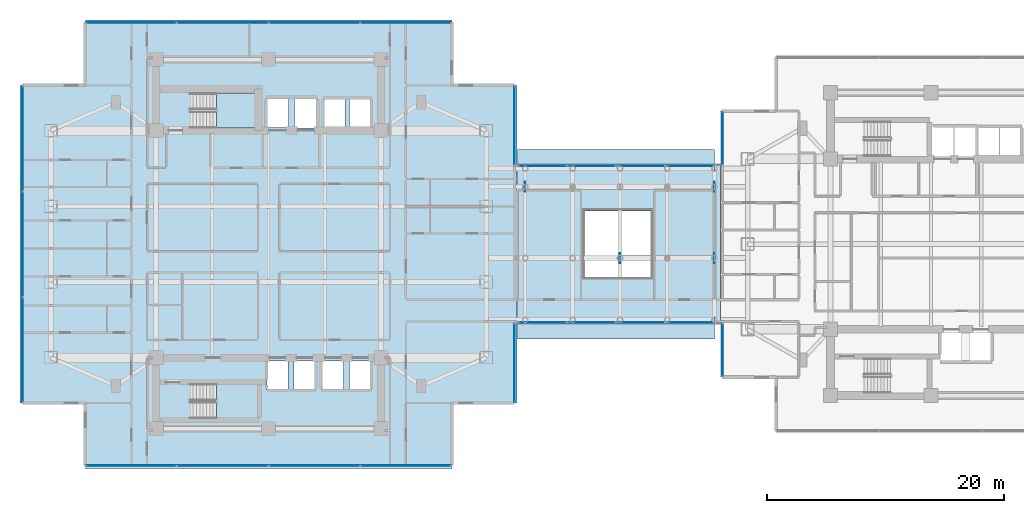
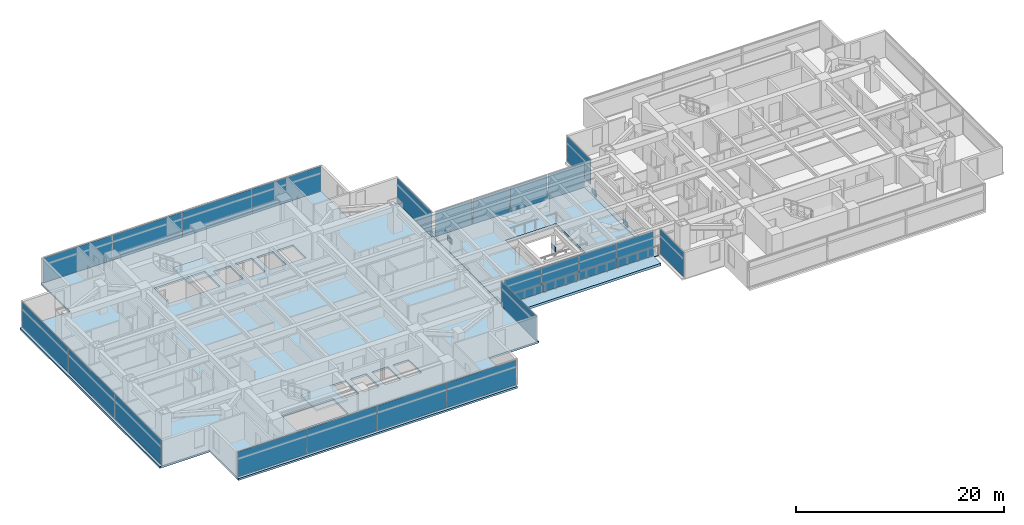
# One storey, part 12 of 27: 27 plates, 5 slabs, 11 elements without a shape of their own.
"""IFC4 building model written with IfcOpenShell, lengths in metres."""

from ifc_helpers import new_model, si_unit, direction, frame, origin, origin_2d, place, context, subcontext, project, spatial, polyline, rectangle, outline, extrude, material, layer, layer_set, type_object, element, aggregate, save


model = new_model("IFC4")

# Units and contexts
model_context = context("Model", 3, precision=1e-05, world=origin(), true_north=direction((0.0, 1.0)))
body_context = subcontext(model_context, "Body", "Model", "MODEL_VIEW")
ifc_project = project(units=[si_unit("LENGTHUNIT", "METRE"), si_unit("AREAUNIT", "SQUARE_METRE"), si_unit("VOLUMEUNIT", "CUBIC_METRE"), si_unit("PLANEANGLEUNIT", "RADIAN"), si_unit("MASSUNIT", "GRAM", prefix="KILO")], contexts=[model_context])

# Site, building, storey
site_placement = place(None, origin())
site = spatial("IfcSite", under=ifc_project, at=site_placement, CompositionType="ELEMENT")
building_placement = place(site_placement, origin())
building = spatial("IfcBuilding", under=site, at=building_placement, Name="Mirazonda Arch Towers", CompositionType="ELEMENT")
storey_placement = place(building_placement, frame((0.0, 0.0, 95.0)))
storey = spatial("IfcBuildingStorey", under=building, at=storey_placement, Name="L26", CompositionType="ELEMENT", Elevation=95.0)

# Curtain wall, plates
ifc_material_1 = material(Name="Anodised Aluminium and Low-E Glass", Category="aluminium")
curtain_wall_type_1 = type_object("IfcCurtainWallType", Name="CW-BRG-LINK", PredefinedType="NOTDEFINED", material=ifc_material_1)
curtain_wall_1_placement = place(storey_placement, origin())
curtain_wall_1 = element("IfcCurtainWall", 1, at=curtain_wall_1_placement, inside=storey, type_object=curtain_wall_type_1, Name="L26 Skybridge South Glazing CW-L26-BRG-S", PredefinedType="NOTDEFINED")
ifc_material_2 = material(Name="Insulated Low-E Solar Glass", Category="glass")
ifc_layer_1 = layer(ifc_material_2, 0.0439453125, Name="PAN-CW-BRG-LINK")
ifc_layer_set_1 = layer_set([ifc_layer_1], Name="Insulated Low-E Solar Glass")
plate_type_1 = type_object("IfcPlateType", Name="PAN-CW-BRG-LINK", PredefinedType="CURTAIN_PANEL", material=ifc_layer_set_1)
plate_1_placement = place(storey_placement, frame((56.107666015625, 21.3798828125, 0.0849609375), z_axis=(0.0, 0.0, 1.0), x_axis=(-1.0, 0.0, 0.0)))
plate_1 = element("IfcPlate", 2, at=plate_1_placement, type_object=plate_type_1, Name="CW-103 panel 1.1", PredefinedType="CURTAIN_PANEL", context=body_context, shape_type="SweptSolid", body=[
    extrude(rectangle(XDim=4.037841796875, YDim=0.0439453125, at=origin_2d()), origin(), (0.0, 0.0, 1.0), 2.85009765625),
])
plate_2_placement = place(storey_placement, frame((51.96337890625, 21.3798828125, 0.0849609375), z_axis=(0.0, 0.0, 1.0), x_axis=(-1.0, 0.0, 0.0)))
plate_2 = element("IfcPlate", 3, at=plate_2_placement, type_object=plate_type_1, Name="CW-103 panel 2.1", PredefinedType="CURTAIN_PANEL", context=body_context, shape_type="SweptSolid", body=[
    extrude(rectangle(XDim=4.080322265625, YDim=0.0439453125, at=origin_2d()), origin(), (0.0, 0.0, 1.0), 2.85009765625),
])
plate_3_placement = place(storey_placement, frame((47.798095703125, 21.3798828125, 0.0849609375), z_axis=(0.0, 0.0, 1.0), x_axis=(-1.0, 0.0, 0.0)))
plate_3 = element("IfcPlate", 4, at=plate_3_placement, type_object=plate_type_1, Name="CW-103 panel 3.1", PredefinedType="CURTAIN_PANEL", context=body_context, shape_type="SweptSolid", body=[
    extrude(rectangle(XDim=4.080322265625, YDim=0.0439453125, at=origin_2d()), origin(), (0.0, 0.0, 1.0), 2.85009765625),
])
plate_4_placement = place(storey_placement, frame((43.654052734375, 21.3798828125, 0.0849609375), z_axis=(0.0, 0.0, 1.0), x_axis=(-1.0, 0.0, 0.0)))
plate_4 = element("IfcPlate", 5, at=plate_4_placement, type_object=plate_type_1, Name="CW-103 panel 4.1", PredefinedType="CURTAIN_PANEL", context=body_context, shape_type="SweptSolid", body=[
    extrude(rectangle(XDim=4.037841796875, YDim=0.0439453125, at=origin_2d()), origin(), (0.0, 0.0, 1.0), 2.85009765625),
])
aggregate(curtain_wall_1, [plate_1, plate_2, plate_3, plate_4])

curtain_wall_2_placement = place(storey_placement, origin())
curtain_wall_2 = element("IfcCurtainWall", 6, at=curtain_wall_2_placement, inside=storey, type_object=curtain_wall_type_1, Name="L26 Skybridge North Glazing CW-L26-BRG-N", PredefinedType="NOTDEFINED")
plate_5_placement = place(storey_placement, frame((43.654052734375, 34.6201171875, 0.0849609375), z_axis=(0.0, 0.0, 1.0), x_axis=(1.0, 0.0, 0.0)))
plate_5 = element("IfcPlate", 7, at=plate_5_placement, type_object=plate_type_1, Name="CW-103 panel 1.1", PredefinedType="CURTAIN_PANEL", context=body_context, shape_type="SweptSolid", body=[
    extrude(rectangle(XDim=4.037841796875, YDim=0.0439453125, at=origin_2d()), origin(), (0.0, 0.0, 1.0), 2.85009765625),
])
plate_6_placement = place(storey_placement, frame((47.798095703125, 34.6201171875, 0.0849609375), z_axis=(0.0, 0.0, 1.0), x_axis=(1.0, 0.0, 0.0)))
plate_6 = element("IfcPlate", 8, at=plate_6_placement, type_object=plate_type_1, Name="CW-103 panel 2.1", PredefinedType="CURTAIN_PANEL", context=body_context, shape_type="SweptSolid", body=[
    extrude(rectangle(XDim=4.080322265625, YDim=0.0439453125, at=origin_2d()), origin(), (0.0, 0.0, 1.0), 2.85009765625),
])
plate_7_placement = place(storey_placement, frame((51.96337890625, 34.6201171875, 0.0849609375), z_axis=(0.0, 0.0, 1.0), x_axis=(1.0, 0.0, 0.0)))
plate_7 = element("IfcPlate", 9, at=plate_7_placement, type_object=plate_type_1, Name="CW-103 panel 3.1", PredefinedType="CURTAIN_PANEL", context=body_context, shape_type="SweptSolid", body=[
    extrude(rectangle(XDim=4.080322265625, YDim=0.0439453125, at=origin_2d()), origin(), (0.0, 0.0, 1.0), 2.85009765625),
])
plate_8_placement = place(storey_placement, frame((56.107666015625, 34.6201171875, 0.0849609375), z_axis=(0.0, 0.0, 1.0), x_axis=(1.0, 0.0, 0.0)))
plate_8 = element("IfcPlate", 10, at=plate_8_placement, type_object=plate_type_1, Name="CW-103 panel 4.1", PredefinedType="CURTAIN_PANEL", context=body_context, shape_type="SweptSolid", body=[
    extrude(rectangle(XDim=4.037841796875, YDim=0.0439453125, at=origin_2d()), origin(), (0.0, 0.0, 1.0), 2.85009765625),
])
aggregate(curtain_wall_2, [plate_5, plate_6, plate_7, plate_8])

curtain_wall_type_2 = type_object("IfcCurtainWallType", Name="CW-HTL-UNIT", PredefinedType="NOTDEFINED", material=ifc_material_1)
curtain_wall_3_placement = place(storey_placement, origin())
curtain_wall_3 = element("IfcCurtainWall", 11, at=curtain_wall_3_placement, inside=storey, type_object=curtain_wall_type_2, Name="L26 T1 S Facade CW-L26-T1-S", PredefinedType="NOTDEFINED")
ifc_layer_2 = layer(ifc_material_2, 0.035888671875, Name="PAN-CW-HTL-UNIT")
ifc_layer_set_2 = layer_set([ifc_layer_2], Name="Insulated Low-E Solar Glass")
plate_type_2 = type_object("IfcPlateType", Name="PAN-CW-HTL-UNIT", PredefinedType="CURTAIN_PANEL", material=ifc_layer_set_2)
plate_9_placement = place(storey_placement, frame((32.094970703125, 9.27392578125, 0.0751953125), z_axis=(0.0, 0.0, 1.0), x_axis=(-1.0, 0.0, 0.0)))
plate_9 = element("IfcPlate", 12, at=plate_9_placement, type_object=plate_type_2, Name="CW-112 panel 1.1", PredefinedType="CURTAIN_PANEL", context=body_context, shape_type="SweptSolid", body=[
    extrude(rectangle(XDim=7.6298828125, YDim=0.035888671875, at=origin_2d()), origin(), (0.0, 0.0, 1.0), 2.909912109375),
])
plate_10_placement = place(storey_placement, frame((24.371337890625, 9.27392578125, 0.0751953125), z_axis=(0.0, 0.0, 1.0), x_axis=(-1.0, 0.0, 0.0)))
plate_10 = element("IfcPlate", 13, at=plate_10_placement, type_object=plate_type_2, Name="CW-112 panel 2.1", PredefinedType="CURTAIN_PANEL", context=body_context, shape_type="SweptSolid", body=[
    extrude(rectangle(XDim=7.66748046875, YDim=0.035888671875, at=origin_2d()), origin(), (0.0, 0.0, 1.0), 2.909912109375),
])
plate_11_placement = place(storey_placement, frame((16.628662109375, 9.27392578125, 0.0751953125), z_axis=(0.0, 0.0, 1.0), x_axis=(-1.0, 0.0, 0.0)))
plate_11 = element("IfcPlate", 14, at=plate_11_placement, type_object=plate_type_2, Name="CW-112 panel 3.1", PredefinedType="CURTAIN_PANEL", context=body_context, shape_type="SweptSolid", body=[
    extrude(rectangle(XDim=7.66748046875, YDim=0.035888671875, at=origin_2d()), origin(), (0.0, 0.0, 1.0), 2.909912109375),
])
plate_12_placement = place(storey_placement, frame((8.905029296875, 9.27392578125, 0.0751953125), z_axis=(0.0, 0.0, 1.0), x_axis=(-1.0, 0.0, 0.0)))
plate_12 = element("IfcPlate", 15, at=plate_12_placement, type_object=plate_type_2, Name="CW-112 panel 4.1", PredefinedType="CURTAIN_PANEL", context=body_context, shape_type="SweptSolid", body=[
    extrude(rectangle(XDim=7.6298828125, YDim=0.035888671875, at=origin_2d()), origin(), (0.0, 0.0, 1.0), 2.909912109375),
])
aggregate(curtain_wall_3, [plate_9, plate_10, plate_11, plate_12])

# Curtain wall, plate
curtain_wall_4_placement = place(storey_placement, origin())
curtain_wall_4 = element("IfcCurtainWall", 16, at=curtain_wall_4_placement, inside=storey, type_object=curtain_wall_type_2, Name="L26 Curtain Wall CW-L26-T1-E1", PredefinedType="NOTDEFINED")
plate_13_placement = place(storey_placement, frame((41.2900390625, 17.969482421875, 0.0751953125), z_axis=(0.0, 0.0, 1.0), x_axis=(0.0, 1.0, 0.0)))
plate_13 = element("IfcPlate", 17, at=plate_13_placement, type_object=plate_type_2, Name="CW-112 panel 1.1", PredefinedType="CURTAIN_PANEL", context=body_context, shape_type="SweptSolid", body=[
    extrude(rectangle(XDim=6.631103515625, YDim=0.035888671875, at=origin_2d()), origin(), (0.0, 0.0, 1.0), 2.909912109375),
])
aggregate(curtain_wall_4, [plate_13])

curtain_wall_5_placement = place(storey_placement, origin())
curtain_wall_5 = element("IfcCurtainWall", 18, at=curtain_wall_5_placement, inside=storey, type_object=curtain_wall_type_2, Name="L26 Curtain Wall CW-L26-T1-E2", PredefinedType="NOTDEFINED")
plate_14_placement = place(storey_placement, frame((41.2900390625, 38.030517578125, 0.0751953125), z_axis=(0.0, 0.0, 1.0), x_axis=(0.0, 1.0, 0.0)))
plate_14 = element("IfcPlate", 19, at=plate_14_placement, type_object=plate_type_2, Name="CW-112 panel 1.1", PredefinedType="CURTAIN_PANEL", context=body_context, shape_type="SweptSolid", body=[
    extrude(rectangle(XDim=6.631103515625, YDim=0.035888671875, at=origin_2d()), origin(), (0.0, 0.0, 1.0), 2.909912109375),
])
aggregate(curtain_wall_5, [plate_14])

# Curtain wall, plates
curtain_wall_6_placement = place(storey_placement, origin())
curtain_wall_6 = element("IfcCurtainWall", 20, at=curtain_wall_6_placement, inside=storey, type_object=curtain_wall_type_2, Name="L26 T1 N Facade CW-L26-T1-N", PredefinedType="NOTDEFINED")
plate_15_placement = place(storey_placement, frame((8.905029296875, 46.72607421875, 0.0751953125), z_axis=(0.0, 0.0, 1.0), x_axis=(1.0, 0.0, 0.0)))
plate_15 = element("IfcPlate", 21, at=plate_15_placement, type_object=plate_type_2, Name="CW-112 panel 1.1", PredefinedType="CURTAIN_PANEL", context=body_context, shape_type="SweptSolid", body=[
    extrude(rectangle(XDim=7.6298828125, YDim=0.035888671875, at=origin_2d()), origin(), (0.0, 0.0, 1.0), 2.909912109375),
])
plate_16_placement = place(storey_placement, frame((16.628662109375, 46.72607421875, 0.0751953125), z_axis=(0.0, 0.0, 1.0), x_axis=(1.0, 0.0, 0.0)))
plate_16 = element("IfcPlate", 22, at=plate_16_placement, type_object=plate_type_2, Name="CW-112 panel 2.1", PredefinedType="CURTAIN_PANEL", context=body_context, shape_type="SweptSolid", body=[
    extrude(rectangle(XDim=7.66748046875, YDim=0.035888671875, at=origin_2d()), origin(), (0.0, 0.0, 1.0), 2.909912109375),
])
plate_17_placement = place(storey_placement, frame((24.371337890625, 46.72607421875, 0.0751953125), z_axis=(0.0, 0.0, 1.0), x_axis=(1.0, 0.0, 0.0)))
plate_17 = element("IfcPlate", 23, at=plate_17_placement, type_object=plate_type_2, Name="CW-112 panel 3.1", PredefinedType="CURTAIN_PANEL", context=body_context, shape_type="SweptSolid", body=[
    extrude(rectangle(XDim=7.66748046875, YDim=0.035888671875, at=origin_2d()), origin(), (0.0, 0.0, 1.0), 2.909912109375),
])
plate_18_placement = place(storey_placement, frame((32.094970703125, 46.72607421875, 0.0751953125), z_axis=(0.0, 0.0, 1.0), x_axis=(1.0, 0.0, 0.0)))
plate_18 = element("IfcPlate", 24, at=plate_18_placement, type_object=plate_type_2, Name="CW-112 panel 4.1", PredefinedType="CURTAIN_PANEL", context=body_context, shape_type="SweptSolid", body=[
    extrude(rectangle(XDim=7.6298828125, YDim=0.035888671875, at=origin_2d()), origin(), (0.0, 0.0, 1.0), 2.909912109375),
])
aggregate(curtain_wall_6, [plate_15, plate_16, plate_17, plate_18])

curtain_wall_7_placement = place(storey_placement, origin())
curtain_wall_7 = element("IfcCurtainWall", 25, at=curtain_wall_7_placement, inside=storey, type_object=curtain_wall_type_2, Name="L26 T1 W Facade CW-L26-T1-W", PredefinedType="NOTDEFINED")
plate_19_placement = place(storey_placement, frame((-0.2900390625, 36.928466796875, 0.0751953125), z_axis=(0.0, 0.0, 1.0), x_axis=(0.0, -1.0, 0.0)))
plate_19 = element("IfcPlate", 26, at=plate_19_placement, type_object=plate_type_2, Name="CW-112 panel 1.1", PredefinedType="CURTAIN_PANEL", context=body_context, shape_type="SweptSolid", body=[
    extrude(rectangle(XDim=8.834716796875, YDim=0.035888671875, at=origin_2d()), origin(), (0.0, 0.0, 1.0), 2.909912109375),
])
plate_20_placement = place(storey_placement, frame((-0.2900390625, 28.0, 0.0751953125), z_axis=(0.0, 0.0, 1.0), x_axis=(0.0, -1.0, 0.0)))
plate_20 = element("IfcPlate", 27, at=plate_20_placement, type_object=plate_type_2, Name="CW-112 panel 2.1", PredefinedType="CURTAIN_PANEL", context=body_context, shape_type="SweptSolid", body=[
    extrude(rectangle(XDim=8.872314453125, YDim=0.035888671875, at=origin_2d()), origin(), (0.0, 0.0, 1.0), 2.909912109375),
])
plate_21_placement = place(storey_placement, frame((-0.2900390625, 19.071533203125, 0.0751953125), z_axis=(0.0, 0.0, 1.0), x_axis=(0.0, -1.0, 0.0)))
plate_21 = element("IfcPlate", 28, at=plate_21_placement, type_object=plate_type_2, Name="CW-112 panel 3.1", PredefinedType="CURTAIN_PANEL", context=body_context, shape_type="SweptSolid", body=[
    extrude(rectangle(XDim=8.834716796875, YDim=0.035888671875, at=origin_2d()), origin(), (0.0, 0.0, 1.0), 2.909912109375),
])
aggregate(curtain_wall_7, [plate_19, plate_20, plate_21])

# Curtain wall, plate
curtain_wall_8_placement = place(storey_placement, origin())
curtain_wall_8 = element("IfcCurtainWall", 29, at=curtain_wall_8_placement, inside=storey, type_object=curtain_wall_type_2, Name="L26 Curtain Wall CW-L26-T2-W1", PredefinedType="NOTDEFINED")
plate_22_placement = place(storey_placement, frame((58.881591796875, 36.94384765625, 0.0751953125), z_axis=(0.0, 0.0, 1.0), x_axis=(0.0, -1.0, 0.0)))
plate_22 = element("IfcPlate", 30, at=plate_22_placement, type_object=plate_type_2, Name="CW-112 panel 1.1", PredefinedType="CURTAIN_PANEL", context=body_context, shape_type="SweptSolid", body=[
    extrude(rectangle(XDim=4.457763671875, YDim=0.035888671875, at=origin_2d()), origin(), (0.0, 0.0, 1.0), 2.909912109375),
])
aggregate(curtain_wall_8, [plate_22])

curtain_wall_9_placement = place(storey_placement, origin())
curtain_wall_9 = element("IfcCurtainWall", 31, at=curtain_wall_9_placement, inside=storey, type_object=curtain_wall_type_2, Name="L26 Curtain Wall CW-L26-T2-W2", PredefinedType="NOTDEFINED")
plate_23_placement = place(storey_placement, frame((58.881591796875, 19.05615234375, 0.0751953125), z_axis=(0.0, 0.0, 1.0), x_axis=(0.0, -1.0, 0.0)))
plate_23 = element("IfcPlate", 32, at=plate_23_placement, type_object=plate_type_2, Name="CW-112 panel 1.1", PredefinedType="CURTAIN_PANEL", context=body_context, shape_type="SweptSolid", body=[
    extrude(rectangle(XDim=4.457763671875, YDim=0.035888671875, at=origin_2d()), origin(), (0.0, 0.0, 1.0), 2.909912109375),
])
aggregate(curtain_wall_9, [plate_23])

# Plates
ifc_material_3 = material(Name="Steel ASTM A572 Grade 50", Category="steel")
ifc_layer_3 = layer(ifc_material_3, 0.035888671875, Name="PLATE-CAP-850x600x36")
ifc_layer_set_3 = layer_set([ifc_layer_3], Name="Steel ASTM A572 Grade 50")
plate_type_3 = type_object("IfcPlateType", Name="PLATE-CAP-850x600x36", PredefinedType="USERDEFINED", material=ifc_layer_set_3)
for number, where, z_axis, x_axis, name in (
    (33, (50.19189453125, 26.820068359375, 0.25), (0.0, 0.0, 1.0), (-1.0, 0.0, 0.0), "Steel end closure plate NP-BRG-L26-IS-CA"),
    (34, (58.2080078125, 26.820068359375, 0.25), (0.0, 0.0, 1.0), (1.0, 0.0, 0.0), "Steel end closure plate NP-BRG-L26-IS-CB"),
    (35, (42.19189453125, 32.85009765625, 0.25), (0.0, 0.0, 1.0), (-1.0, 0.0, 0.0), "Steel end closure plate NP-BRG-L26-IN-CA"),
    (36, (58.2080078125, 32.85009765625, 0.25), (0.0, 0.0, 1.0), (1.0, 0.0, 0.0), "Steel end closure plate NP-BRG-L26-IN-CB"),
):
    element("IfcPlate", number, at=place(storey_placement, frame(where, z_axis=z_axis, x_axis=x_axis)), inside=storey, type_object=plate_type_3, Name=name, ObjectType="CAP PLATE", PredefinedType="USERDEFINED", context=body_context, shape_type="SweptSolid", body=[
        extrude(rectangle(XDim=0.0400390625, YDim=0.85009765625, at=origin_2d()), origin(), (0.0, 0.0, 1.0), 0.60009765625),
    ])

# Slabs
ifc_material_4 = material(Name="Concrete C40/50", Category="concrete")
ifc_layer_4 = layer(ifc_material_4, 0.280029296875, Name="SLAB-BRG-280")
ifc_layer_set_4 = layer_set([ifc_layer_4], Name="Concrete C40/50")
slab_type_1 = type_object("IfcSlabType", Name="SLAB-BRG-280", PredefinedType="FLOOR", material=ifc_layer_set_4)
slab_1_placement = place(storey_placement, frame((0.0, 0.0, -0.280029296875)))
element("IfcSlab", 37, at=slab_1_placement, inside=storey, type_object=slab_type_1, Name="L26 Skybridge Link Floor Slab", PredefinedType="FLOOR", context=body_context, shape_type="SweptSolid", body=[
    extrude(outline(polyline([(41.550048828125, 20.0), (58.21142578125, 20.0), (58.21142578125, 36.0), (41.550048828125, 36.0), (41.550048828125, 20.0)]), holes=[polyline([(52.800048828125, 30.800048828125), (52.800048828125, 25.199951171875), (47.199951171875, 25.199951171875), (47.199951171875, 30.800048828125), (52.800048828125, 30.800048828125)])]), origin(), (0.0, 0.0, 1.0), 0.280029296875),
])
ifc_layer_5 = layer(ifc_material_4, 0.080078125, Name="SLAB-JOINT-COVER-80")
ifc_layer_set_5 = layer_set([ifc_layer_5], Name="Concrete C40/50")
slab_type_2 = type_object("IfcSlabType", Name="SLAB-JOINT-COVER-80", PredefinedType="FLOOR", material=ifc_layer_set_5)
slab_2_placement = place(storey_placement, frame((0.0, 0.0, -0.080078125)))
element("IfcSlab", 38, at=slab_2_placement, inside=storey, type_object=slab_type_2, Name="L26 Skybridge 450mm Seismic Movement Joint Cover Plate", PredefinedType="FLOOR", context=body_context, shape_type="SweptSolid", body=[
    extrude(outline(polyline([(58.19140625, 21.260009765625), (58.681396484375, 21.260009765625), (58.681396484375, 34.739990234375), (58.19140625, 34.739990234375), (58.19140625, 21.260009765625)])), origin(), (0.0, 0.0, 1.0), 0.080078125),
])

# Stair, slab
stair_type = type_object("IfcStairType", Name="STAIR-CORE-1400", PredefinedType="HALF_TURN_STAIR", material=ifc_material_4)
stair_1_placement = place(storey_placement, origin())
stair_1 = element("IfcStair", 39, at=stair_1_placement, inside=storey, type_object=stair_type, Name="L26 Protected Exit Stair ST-T1N", PredefinedType="HALF_TURN_STAIR")
ifc_layer_6 = layer(ifc_material_4, 0.18994140625, Name="SLAB-LANDING-190")
ifc_layer_set_6 = layer_set([ifc_layer_6], Name="Concrete C40/50")
slab_type_3 = type_object("IfcSlabType", Name="SLAB-LANDING-190", PredefinedType="LANDING", material=ifc_layer_set_6)
slab_3_placement = place(storey_placement, frame((0.0, 0.0, 1.449951171875)))
slab_3 = element("IfcSlab", 40, at=slab_3_placement, type_object=slab_type_3, Name="ST-T1N landing 1", PredefinedType="LANDING", context=body_context, shape_type="SweptSolid", body=[
    extrude(outline(polyline([(16.090087890625, 37.820068359375), (19.60009765625, 37.820068359375), (19.60009765625, 40.760009765625), (16.090087890625, 40.760009765625), (16.090087890625, 37.820068359375)])), origin(), (0.0, 0.0, 1.0), 0.199951171875),
])
aggregate(stair_1, [slab_3])

stair_2_placement = place(storey_placement, origin())
stair_2 = element("IfcStair", 41, at=stair_2_placement, inside=storey, type_object=stair_type, Name="L26 Protected Exit Stair ST-T1S", PredefinedType="HALF_TURN_STAIR")
slab_4_placement = place(storey_placement, frame((0.0, 0.0, 1.449951171875)))
slab_4 = element("IfcSlab", 42, at=slab_4_placement, type_object=slab_type_3, Name="ST-T1S landing 1", PredefinedType="LANDING", context=body_context, shape_type="SweptSolid", body=[
    extrude(outline(polyline([(16.090087890625, 13.25), (19.60009765625, 13.25), (19.60009765625, 16.18994140625), (16.090087890625, 16.18994140625), (16.090087890625, 13.25)])), origin(), (0.0, 0.0, 1.0), 0.199951171875),
])
aggregate(stair_2, [slab_4])

# Slab
ifc_layer_7 = layer(ifc_material_4, 0.219970703125, Name="SLAB-TWR-220")
ifc_layer_set_7 = layer_set([ifc_layer_7], Name="Concrete C40/50")
slab_type_4 = type_object("IfcSlabType", Name="SLAB-TWR-220", PredefinedType="FLOOR", material=ifc_layer_set_7)
slab_5_placement = place(storey_placement, frame((0.0, 0.0, -0.219970703125)))
element("IfcSlab", 43, at=slab_5_placement, inside=storey, type_object=slab_type_4, Name="L26 Tower 1 Floor Slab", PredefinedType="FLOOR", context=body_context, shape_type="SweptSolid", body=[
    extrude(outline(polyline([(5.014892578125, 9.053955078125), (35.985107421875, 9.053955078125), (35.985107421875, 14.5791015625), (41.510009765625, 14.5791015625), (41.510009765625, 41.4208984375), (35.985107421875, 41.4208984375), (35.985107421875, 46.946044921875), (5.014892578125, 46.946044921875), (5.014892578125, 41.4208984375), (-0.510009765625, 41.4208984375), (-0.510009765625, 14.5791015625), (5.014892578125, 14.5791015625), (5.014892578125, 9.053955078125)]), holes=[polyline([(29.139892578125, 18.139892578125), (29.139892578125, 15.659912109375), (27.360107421875, 15.659912109375), (27.360107421875, 18.139892578125), (29.139892578125, 18.139892578125)]), polyline([(29.139892578125, 40.340087890625), (29.139892578125, 37.860107421875), (27.360107421875, 37.860107421875), (27.360107421875, 40.340087890625), (29.139892578125, 40.340087890625)]), polyline([(25.159912109375, 40.340087890625), (26.93994140625, 40.340087890625), (26.93994140625, 37.860107421875), (25.159912109375, 37.860107421875), (25.159912109375, 40.340087890625)]), polyline([(26.840087890625, 18.139892578125), (26.840087890625, 15.659912109375), (25.06005859375, 15.659912109375), (25.06005859375, 18.139892578125), (26.840087890625, 18.139892578125)]), polyline([(22.7099609375, 40.389892578125), (24.590087890625, 40.389892578125), (24.590087890625, 37.81005859375), (22.7099609375, 37.81005859375), (22.7099609375, 40.389892578125)]), polyline([(22.659912109375, 18.139892578125), (24.43994140625, 18.139892578125), (24.43994140625, 15.659912109375), (22.659912109375, 15.659912109375), (22.659912109375, 18.139892578125)]), polyline([(20.31005859375, 40.340087890625), (22.18994140625, 40.340087890625), (22.18994140625, 37.860107421875), (20.31005859375, 37.860107421875), (20.31005859375, 40.340087890625)]), polyline([(20.360107421875, 18.139892578125), (22.139892578125, 18.139892578125), (22.139892578125, 15.659912109375), (20.360107421875, 15.659912109375), (20.360107421875, 18.139892578125)]), polyline([(13.925048828125, 40.760009765625), (19.60009765625, 40.760009765625), (19.60009765625, 37.820068359375), (13.925048828125, 37.820068359375), (13.925048828125, 40.760009765625)]), polyline([(13.925048828125, 13.25), (13.925048828125, 16.18994140625), (19.60009765625, 16.18994140625), (19.60009765625, 13.25), (13.925048828125, 13.25)])]), origin(), (0.0, 0.0, 1.0), 0.219970703125),
])

save(model, "model.ifc")
